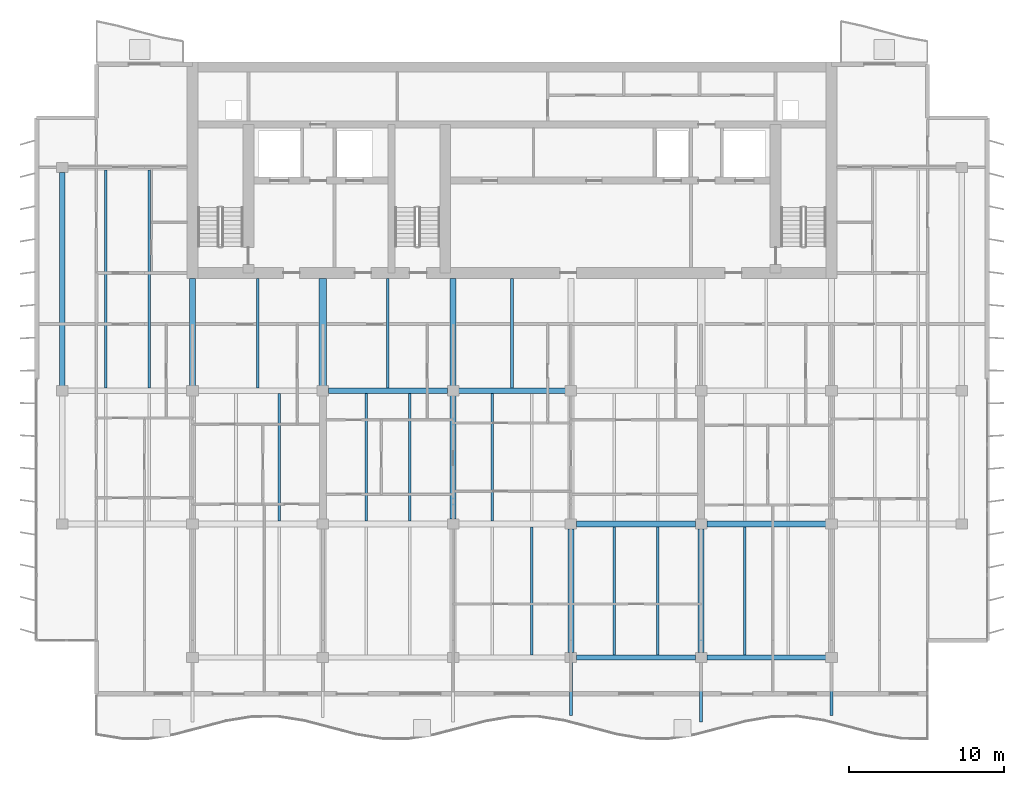
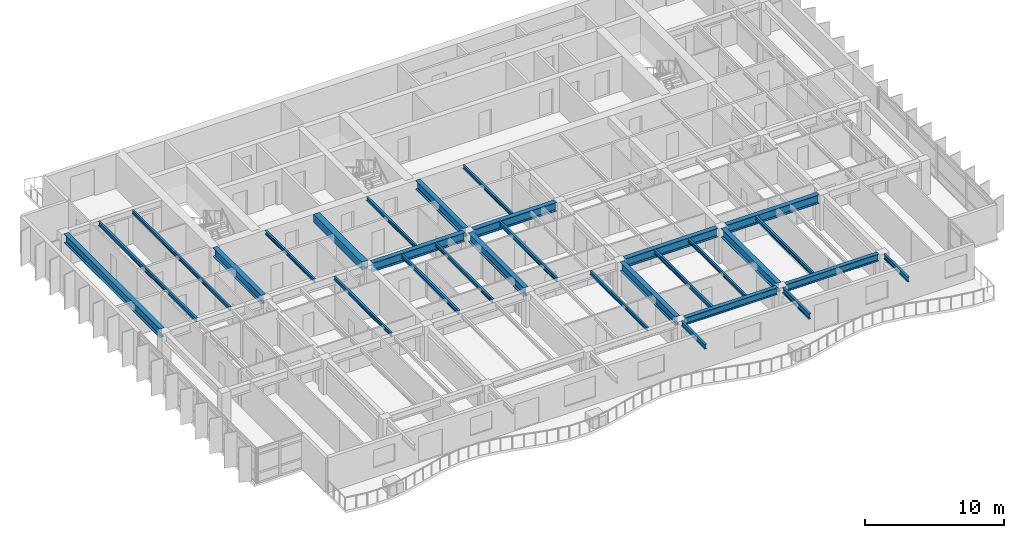
# One storey, part 3 of 17: 29 beams.
"""IFC4 building model written with IfcOpenShell, lengths in metres."""

from ifc_helpers import new_model, si_unit, direction, frame, origin, origin_2d, place, context, subcontext, project, spatial, rectangle, i_section, extrude, material, material_profile, profile_set, type_object, element, save


model = new_model("IFC4")

# Units and contexts
model_context = context("Model", 3, precision=1e-05, world=origin(), true_north=direction((0.0, 1.0)))
body_context = subcontext(model_context, "Body", "Model", "MODEL_VIEW")
ifc_project = project(units=[si_unit("LENGTHUNIT", "METRE"), si_unit("AREAUNIT", "SQUARE_METRE"), si_unit("VOLUMEUNIT", "CUBIC_METRE"), si_unit("PLANEANGLEUNIT", "RADIAN"), si_unit("MASSUNIT", "GRAM", prefix="KILO")], contexts=[model_context])

# Site, building, storey
site_placement = place(None, origin())
site = spatial("IfcSite", under=ifc_project, at=site_placement, CompositionType="ELEMENT")
building_placement = place(site_placement, origin())
building = spatial("IfcBuilding", under=site, at=building_placement, Name="Caelmar Bay Residences", CompositionType="ELEMENT")
storey_placement = place(building_placement, frame((0.0, 0.0, 243.0)))
storey = spatial("IfcBuildingStorey", under=building, at=storey_placement, Name="L68", CompositionType="ELEMENT", Elevation=243.0)

# Beams
ifc_material_1 = material(Name="Steel ASTM A992 Grade 50", Category="steel")
ifc_material_profile_1 = material_profile(ifc_material_1, i_section(OverallWidth=0.177978515625, OverallDepth=0.406005859375, WebThickness=0.0078125, FlangeThickness=0.0126953125, FilletRadius=0.0087890625, at=origin_2d()), Name="W16X40")
ifc_profile_set_1 = profile_set([ifc_material_profile_1], Name="Steel ASTM A992 Grade 50")
beam_type_1 = type_object("IfcBeamType", Name="BM-BAL-W16X40", PredefinedType="JOIST", material=ifc_profile_set_1)
for number, where, z_axis, x_axis, name in (
    (1, (42.699951171875, 11.885009765625, 2.846923828125), (0.0, -1.0, 0.0), (1.0, 0.0, 0.0), "L69 South Balcony Cantilever Bracket 4"),
    (2, (59.5, 11.885009765625, 2.846923828125), (0.0, -1.0, 0.0), (1.0, 0.0, 0.0), "L69 South Balcony Cantilever Bracket 6"),
):
    element("IfcBeam", number, at=place(storey_placement, frame(where, z_axis=z_axis, x_axis=x_axis)), inside=storey, type_object=beam_type_1, Name=name, PredefinedType="JOIST", context=body_context, shape_type="SweptSolid", body=[
        extrude(i_section(OverallWidth=0.177978515625, OverallDepth=0.406005859375, WebThickness=0.0078125, FlangeThickness=0.0126953125, FilletRadius=0.0087890625, at=origin_2d()), origin(), (0.0, 0.0, 1.0), 3.42919921875),
    ])
ifc_material_profile_2 = material_profile(ifc_material_1, i_section(OverallWidth=0.193115234375, OverallDepth=0.467041015625, WebThickness=0.011474609375, FlangeThickness=0.01904296875, FilletRadius=0.01025390625, at=origin_2d()), Name="W18X65")
ifc_profile_set_2 = profile_set([ifc_material_profile_2], Name="Steel ASTM A992 Grade 50")
beam_type_2 = type_object("IfcBeamType", Name="BM-BAL-W18X65", PredefinedType="BEAM", material=ifc_profile_set_2)
beam_1_placement = place(storey_placement, frame((51.10009765625, 11.885009765625, 2.81640625), z_axis=(0.0, -1.0, 0.0), x_axis=(1.0, 0.0, 0.0)))
element("IfcBeam", 3, at=beam_1_placement, inside=storey, type_object=beam_type_2, Name="L69 South Balcony Cantilever Bracket 5", PredefinedType="BEAM", context=body_context, shape_type="SweptSolid", body=[
    extrude(i_section(OverallWidth=0.193115234375, OverallDepth=0.467041015625, WebThickness=0.011474609375, FlangeThickness=0.01904296875, FilletRadius=0.01025390625, at=origin_2d()), origin(), (0.0, 0.0, 1.0), 3.85009765625),
])
ifc_material_profile_3 = material_profile(ifc_material_1, i_section(OverallWidth=0.381103515625, OverallDepth=0.77197265625, WebThickness=0.0166015625, FlangeThickness=0.027099609375, FilletRadius=0.0166015625, at=origin_2d()), Name="W30X173")
ifc_profile_set_3 = profile_set([ifc_material_profile_3], Name="Steel ASTM A992 Grade 50")
beam_type_3 = type_object("IfcBeamType", Name="BM-GRD-W30X173", PredefinedType="BEAM", material=ifc_profile_set_3)
beam_2_placement = place(storey_placement, frame((43.06494140625, 20.800048828125, 2.6640625), z_axis=(1.0, 0.0, 0.0), x_axis=(0.0, 1.0, 0.0)))
element("IfcBeam", 4, at=beam_2_placement, inside=storey, type_object=beam_type_3, Name="L68 East-West Girder Y=20.80 (42.7-51.1)", PredefinedType="BEAM", context=body_context, shape_type="SweptSolid", body=[
    extrude(i_section(OverallWidth=0.381103515625, OverallDepth=0.77197265625, WebThickness=0.0166015625, FlangeThickness=0.027099609375, FilletRadius=0.0166015625, at=origin_2d()), origin(), (0.0, 0.0, 1.0), 7.670166015625),
])
beam_3_placement = place(storey_placement, frame((51.465087890625, 20.800048828125, 2.6640625), z_axis=(1.0, 0.0, 0.0), x_axis=(0.0, 1.0, 0.0)))
element("IfcBeam", 5, at=beam_3_placement, inside=storey, type_object=beam_type_3, Name="L68 East-West Girder Y=20.80 (51.1-59.5)", PredefinedType="BEAM", context=body_context, shape_type="SweptSolid", body=[
    extrude(i_section(OverallWidth=0.381103515625, OverallDepth=0.77197265625, WebThickness=0.0166015625, FlangeThickness=0.027099609375, FilletRadius=0.0166015625, at=origin_2d()), origin(), (0.0, 0.0, 1.0), 7.669921875),
])
beam_4_placement = place(storey_placement, frame((27.06494140625, 29.39990234375, 2.6640625), z_axis=(1.0, 0.0, 0.0), x_axis=(0.0, 1.0, 0.0)))
element("IfcBeam", 6, at=beam_4_placement, inside=storey, type_object=beam_type_3, Name="L68 East-West Girder Y=29.40 (26.7-35.1)", PredefinedType="BEAM", context=body_context, shape_type="SweptSolid", body=[
    extrude(i_section(OverallWidth=0.381103515625, OverallDepth=0.77197265625, WebThickness=0.0166015625, FlangeThickness=0.027099609375, FilletRadius=0.0166015625, at=origin_2d()), origin(), (0.0, 0.0, 1.0), 7.670166015625),
])
beam_5_placement = place(storey_placement, frame((35.465087890625, 29.39990234375, 2.6640625), z_axis=(1.0, 0.0, 0.0), x_axis=(0.0, 1.0, 0.0)))
element("IfcBeam", 7, at=beam_5_placement, inside=storey, type_object=beam_type_3, Name="L68 East-West Girder Y=29.40 (35.1-42.7)", PredefinedType="BEAM", context=body_context, shape_type="SweptSolid", body=[
    extrude(i_section(OverallWidth=0.381103515625, OverallDepth=0.77197265625, WebThickness=0.0166015625, FlangeThickness=0.027099609375, FilletRadius=0.0166015625, at=origin_2d()), origin(), (0.0, 0.0, 1.0), 6.869873046875),
])
beam_6_placement = place(storey_placement, frame((9.89990234375, 29.715087890625, 2.6640625), z_axis=(0.0, 1.0, 0.0), x_axis=(-1.0, 0.0, 0.0)))
element("IfcBeam", 8, at=beam_6_placement, inside=storey, type_object=beam_type_3, Name="L68 North-South Girder X=9.90 (29.4-43.8)", PredefinedType="BEAM", context=body_context, shape_type="SweptSolid", body=[
    extrude(i_section(OverallWidth=0.381103515625, OverallDepth=0.77197265625, WebThickness=0.0166015625, FlangeThickness=0.027099609375, FilletRadius=0.0166015625, at=origin_2d()), origin(), (0.0, 0.0, 1.0), 13.77001953125),
])
for number, where, z_axis, x_axis, name in (
    (9, (18.300048828125, 29.715087890625, 2.6640625), (0.0, 1.0, 0.0), (-1.0, 0.0, 0.0), "L68 Core Tie Girder X=18.30"),
    (10, (35.10009765625, 29.715087890625, 2.6640625), (0.0, 1.0, 0.0), (-1.0, 0.0, 0.0), "L68 Core Tie Girder X=35.10"),
):
    element("IfcBeam", number, at=place(storey_placement, frame(where, z_axis=z_axis, x_axis=x_axis)), inside=storey, type_object=beam_type_3, Name=name, PredefinedType="BEAM", context=body_context, shape_type="SweptSolid", body=[
        extrude(i_section(OverallWidth=0.381103515625, OverallDepth=0.77197265625, WebThickness=0.0166015625, FlangeThickness=0.027099609375, FilletRadius=0.0166015625, at=origin_2d()), origin(), (0.0, 0.0, 1.0), 6.934814453125),
    ])
beam_7_placement = place(storey_placement, frame((35.10009765625, 21.114990234375, 2.6640625), z_axis=(0.0, 1.0, 0.0), x_axis=(-1.0, 0.0, 0.0)))
element("IfcBeam", 11, at=beam_7_placement, inside=storey, type_object=beam_type_3, Name="L68 North-South Girder X=35.10 (20.8-29.4)", PredefinedType="BEAM", context=body_context, shape_type="SweptSolid", body=[
    extrude(i_section(OverallWidth=0.381103515625, OverallDepth=0.77197265625, WebThickness=0.0166015625, FlangeThickness=0.027099609375, FilletRadius=0.0166015625, at=origin_2d()), origin(), (0.0, 0.0, 1.0), 7.969970703125),
])
for number, where, z_axis, x_axis, name in (
    (12, (42.699951171875, 12.514892578125, 2.6640625), (0.0, 1.0, 0.0), (-1.0, 0.0, 0.0), "L68 North-South Girder X=42.70 (12.2-20.8)"),
    (13, (51.10009765625, 12.514892578125, 2.6640625), (0.0, 1.0, 0.0), (-1.0, 0.0, 0.0), "L68 North-South Girder X=51.10 (12.2-20.8)"),
):
    element("IfcBeam", number, at=place(storey_placement, frame(where, z_axis=z_axis, x_axis=x_axis)), inside=storey, type_object=beam_type_3, Name=name, PredefinedType="BEAM", context=body_context, shape_type="SweptSolid", body=[
        extrude(i_section(OverallWidth=0.381103515625, OverallDepth=0.77197265625, WebThickness=0.0166015625, FlangeThickness=0.027099609375, FilletRadius=0.0166015625, at=origin_2d()), origin(), (0.0, 0.0, 1.0), 7.97021484375),
    ])
ifc_material_profile_4 = material_profile(ifc_material_1, i_section(OverallWidth=0.1650390625, OverallDepth=0.31005859375, WebThickness=0.005859375, FlangeThickness=0.009765625, FilletRadius=0.007568359375, at=origin_2d()), Name="W12X26")
ifc_profile_set_4 = profile_set([ifc_material_profile_4], Name="Steel ASTM A992 Grade 50")
beam_type_4 = type_object("IfcBeamType", Name="BM-JST-W12X26", PredefinedType="JOIST", material=ifc_profile_set_4)
for number, where, z_axis, x_axis, name in (
    (14, (40.166748046875, 12.362548828125, 2.89501953125), (0.0, 1.0, 0.0), (-1.0, 0.0, 0.0), "L68 Composite Floor Joist 6"),
    (15, (48.300048828125, 12.362548828125, 2.89501953125), (0.0, 1.0, 0.0), (-1.0, 0.0, 0.0), "L68 Composite Floor Joist 8"),
):
    element("IfcBeam", number, at=place(storey_placement, frame(where, z_axis=z_axis, x_axis=x_axis)), inside=storey, type_object=beam_type_4, Name=name, PredefinedType="JOIST", context=body_context, shape_type="SweptSolid", body=[
        extrude(i_section(OverallWidth=0.1650390625, OverallDepth=0.31005859375, WebThickness=0.005859375, FlangeThickness=0.009765625, FilletRadius=0.007568359375, at=origin_2d()), origin(), (0.0, 0.0, 1.0), 8.2470703125),
    ])
for number, where, z_axis, x_axis, name in (
    (16, (23.89990234375, 20.990478515625, 2.89501953125), (0.0, 1.0, 0.0), (-1.0, 0.0, 0.0), "L68 Composite Floor Joist 14"),
    (17, (32.300048828125, 20.990478515625, 2.89501953125), (0.0, 1.0, 0.0), (-1.0, 0.0, 0.0), "L68 Composite Floor Joist 16"),
):
    element("IfcBeam", number, at=place(storey_placement, frame(where, z_axis=z_axis, x_axis=x_axis)), inside=storey, type_object=beam_type_4, Name=name, PredefinedType="JOIST", context=body_context, shape_type="SweptSolid", body=[
        extrude(i_section(OverallWidth=0.1650390625, OverallDepth=0.31005859375, WebThickness=0.005859375, FlangeThickness=0.009765625, FilletRadius=0.007568359375, at=origin_2d()), origin(), (0.0, 0.0, 1.0), 8.218994140625),
    ])
for number, where, z_axis, x_axis, name in (
    (18, (22.5, 29.590576171875, 2.89501953125), (0.0, 1.0, 0.0), (-1.0, 0.0, 0.0), "L68 Core-Band Composite Joist 25"),
    (19, (30.89990234375, 29.590576171875, 2.89501953125), (0.0, 1.0, 0.0), (-1.0, 0.0, 0.0), "L68 Core-Band Composite Joist 26"),
    (20, (38.89990234375, 29.590576171875, 2.89501953125), (0.0, 1.0, 0.0), (-1.0, 0.0, 0.0), "L68 Core-Band Composite Joist 27"),
):
    element("IfcBeam", number, at=place(storey_placement, frame(where, z_axis=z_axis, x_axis=x_axis)), inside=storey, type_object=beam_type_4, Name=name, PredefinedType="JOIST", context=body_context, shape_type="SweptSolid", body=[
        extrude(i_section(OverallWidth=0.1650390625, OverallDepth=0.31005859375, WebThickness=0.005859375, FlangeThickness=0.009765625, FilletRadius=0.007568359375, at=origin_2d()), origin(), (0.0, 0.0, 1.0), 7.059326171875),
    ])
beam_8_placement = place(storey_placement, frame((15.5, 29.590576171875, 2.89501953125), z_axis=(0.0, 1.0, 0.0), x_axis=(-1.0, 0.0, 0.0)))
element("IfcBeam", 21, at=beam_8_placement, inside=storey, type_object=beam_type_4, Name="L68 Composite Floor Joist 31", PredefinedType="JOIST", context=body_context, shape_type="SweptSolid", body=[
    extrude(i_section(OverallWidth=0.1650390625, OverallDepth=0.31005859375, WebThickness=0.005859375, FlangeThickness=0.009765625, FilletRadius=0.007568359375, at=origin_2d()), origin(), (0.0, 0.0, 1.0), 14.046875),
])
ifc_material_profile_5 = material_profile(ifc_material_1, i_section(OverallWidth=0.1708984375, OverallDepth=0.35595703125, WebThickness=0.007080078125, FlangeThickness=0.01171875, FilletRadius=0.007568359375, at=origin_2d()), Name="W14X34")
ifc_profile_set_5 = profile_set([ifc_material_profile_5], Name="Steel ASTM A992 Grade 50")
beam_type_5 = type_object("IfcBeamType", Name="BM-JST-W14X34", PredefinedType="JOIST", material=ifc_profile_set_5)
for number, where, z_axis, x_axis, name in (
    (22, (45.5, 12.362548828125, 2.8720703125), (0.0, 1.0, 0.0), (-1.0, 0.0, 0.0), "L68 Composite Floor Joist 7"),
    (23, (53.89990234375, 12.362548828125, 2.8720703125), (0.0, 1.0, 0.0), (-1.0, 0.0, 0.0), "L68 Composite Floor Joist 9"),
):
    element("IfcBeam", number, at=place(storey_placement, frame(where, z_axis=z_axis, x_axis=x_axis)), inside=storey, type_object=beam_type_5, Name=name, PredefinedType="JOIST", context=body_context, shape_type="SweptSolid", body=[
        extrude(i_section(OverallWidth=0.1708984375, OverallDepth=0.35595703125, WebThickness=0.007080078125, FlangeThickness=0.01171875, FilletRadius=0.007568359375, at=origin_2d()), origin(), (0.0, 0.0, 1.0), 8.2470703125),
    ])
for number, where, z_axis, x_axis, name in (
    (24, (29.5, 20.990478515625, 2.8720703125), (0.0, 1.0, 0.0), (-1.0, 0.0, 0.0), "L68 Composite Floor Joist 15"),
    (25, (37.63330078125, 20.990478515625, 2.8720703125), (0.0, 1.0, 0.0), (-1.0, 0.0, 0.0), "L68 Composite Floor Joist 17"),
):
    element("IfcBeam", number, at=place(storey_placement, frame(where, z_axis=z_axis, x_axis=x_axis)), inside=storey, type_object=beam_type_5, Name=name, PredefinedType="JOIST", context=body_context, shape_type="SweptSolid", body=[
        extrude(i_section(OverallWidth=0.1708984375, OverallDepth=0.35595703125, WebThickness=0.007080078125, FlangeThickness=0.01171875, FilletRadius=0.007568359375, at=origin_2d()), origin(), (0.0, 0.0, 1.0), 8.218994140625),
    ])
beam_9_placement = place(storey_placement, frame((12.699951171875, 29.590576171875, 2.8720703125), z_axis=(0.0, 1.0, 0.0), x_axis=(-1.0, 0.0, 0.0)))
element("IfcBeam", 26, at=beam_9_placement, inside=storey, type_object=beam_type_5, Name="L68 Composite Floor Joist 30", PredefinedType="JOIST", context=body_context, shape_type="SweptSolid", body=[
    extrude(i_section(OverallWidth=0.1708984375, OverallDepth=0.35595703125, WebThickness=0.007080078125, FlangeThickness=0.01171875, FilletRadius=0.007568359375, at=origin_2d()), origin(), (0.0, 0.0, 1.0), 14.046875),
])
ifc_material_2 = material(Name="Concrete f'c 55 MPa (8,000 psi)", Category="concrete")
ifc_material_profile_6 = material_profile(ifc_material_2, rectangle(XDim=0.5, YDim=0.699951171875, at=origin_2d()), Name="RC-BM-500X700")
ifc_profile_set_6 = profile_set([ifc_material_profile_6], Name="Concrete f'c 55 MPa (8,000 psi)")
beam_type_6 = type_object("IfcBeamType", Name="BM-RC-500X700", PredefinedType="LINTEL", material=ifc_profile_set_6)
beam_10_placement = place(storey_placement, frame((26.699951171875, 29.715087890625, 2.699951171875), z_axis=(0.0, 1.0, 0.0), x_axis=(-1.0, 0.0, 0.0)))
element("IfcBeam", 27, at=beam_10_placement, inside=storey, type_object=beam_type_6, Name="L68 Shear-Wall Corridor Coupling Lintel W5", PredefinedType="LINTEL", context=body_context, shape_type="SweptSolid", body=[
    extrude(rectangle(XDim=0.5, YDim=0.699951171875, at=origin_2d()), origin(), (0.0, 0.0, 1.0), 6.934814453125),
])
ifc_material_profile_7 = material_profile(ifc_material_1, i_section(OverallWidth=0.324951171875, OverallDepth=0.616943359375, WebThickness=0.013916015625, FlangeThickness=0.021484375, FilletRadius=0.0126953125, at=origin_2d()), Name="W24X117")
ifc_profile_set_7 = profile_set([ifc_material_profile_7], Name="Steel ASTM A992 Grade 50")
beam_type_7 = type_object("IfcBeamType", Name="BM-SPN-W24X117", PredefinedType="SPANDREL", material=ifc_profile_set_7)
beam_11_placement = place(storey_placement, frame((43.06494140625, 12.199951171875, 2.741455078125), z_axis=(1.0, 0.0, 0.0), x_axis=(0.0, 1.0, 0.0)))
element("IfcBeam", 28, at=beam_11_placement, inside=storey, type_object=beam_type_7, Name="L68 East-West Girder Y=12.20 (42.7-51.1)", PredefinedType="SPANDREL", context=body_context, shape_type="SweptSolid", body=[
    extrude(i_section(OverallWidth=0.324951171875, OverallDepth=0.616943359375, WebThickness=0.013916015625, FlangeThickness=0.021484375, FilletRadius=0.0126953125, at=origin_2d()), origin(), (0.0, 0.0, 1.0), 7.670166015625),
])
beam_12_placement = place(storey_placement, frame((51.465087890625, 12.199951171875, 2.741455078125), z_axis=(1.0, 0.0, 0.0), x_axis=(0.0, 1.0, 0.0)))
element("IfcBeam", 29, at=beam_12_placement, inside=storey, type_object=beam_type_7, Name="L68 East-West Girder Y=12.20 (51.1-59.5)", PredefinedType="SPANDREL", context=body_context, shape_type="SweptSolid", body=[
    extrude(i_section(OverallWidth=0.324951171875, OverallDepth=0.616943359375, WebThickness=0.013916015625, FlangeThickness=0.021484375, FilletRadius=0.0126953125, at=origin_2d()), origin(), (0.0, 0.0, 1.0), 7.669921875),
])

save(model, "model.ifc")
